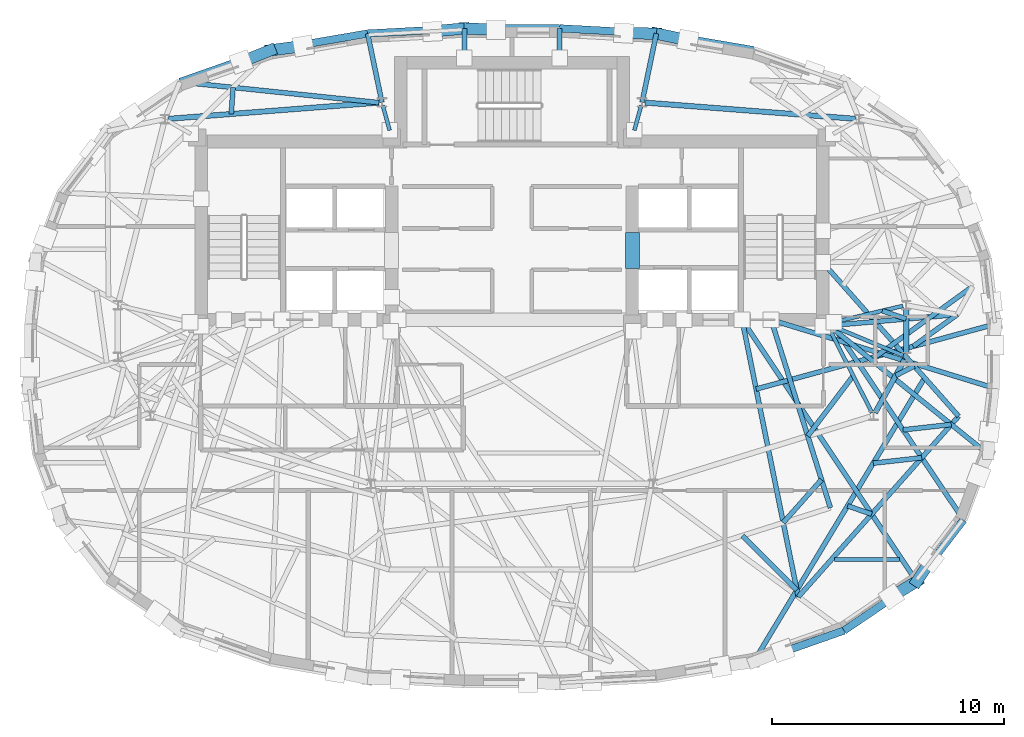
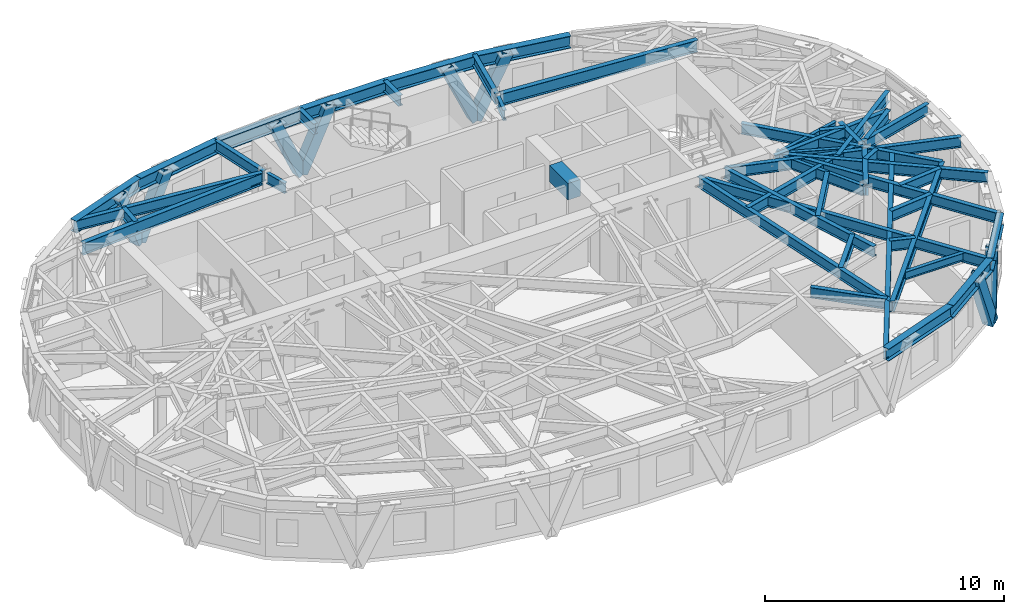
# One storey, part 3 of 12: 47 beams, 8 members.
"""IFC4 building model written with IfcOpenShell, lengths in metres."""

from ifc_helpers import new_model, si_unit, direction, frame, origin, origin_2d, place, context, subcontext, project, spatial, rectangle, hollow_rectangle, i_section, extrude, material, material_profile, profile_set, type_object, element, save


model = new_model("IFC4")

# Units and contexts
model_context = context("Model", 3, precision=1e-05, world=origin(), true_north=direction((0.0, 1.0)))
body_context = subcontext(model_context, "Body", "Model", "MODEL_VIEW")
ifc_project = project(units=[si_unit("LENGTHUNIT", "METRE"), si_unit("AREAUNIT", "SQUARE_METRE"), si_unit("VOLUMEUNIT", "CUBIC_METRE"), si_unit("PLANEANGLEUNIT", "RADIAN"), si_unit("MASSUNIT", "GRAM", prefix="KILO")], contexts=[model_context])

# Site, building, storey
site_placement = place(None, origin())
site = spatial("IfcSite", under=ifc_project, at=site_placement, CompositionType="ELEMENT")
building_placement = place(site_placement, origin())
building = spatial("IfcBuilding", under=site, at=building_placement, Name="Keldmark Tower", CompositionType="ELEMENT")
storey_placement = place(building_placement, frame((0.0, 0.0, 254.10009765625)))
storey = spatial("IfcBuildingStorey", under=building, at=storey_placement, Name="L72", CompositionType="ELEMENT", Elevation=254.10009765625)

# Beams
ifc_material_1 = material(Name="Steel ASTM A992 Grade 50", Category="steel")
ifc_material_profile_1 = material_profile(ifc_material_1, i_section(OverallWidth=0.177978515625, OverallDepth=0.403076171875, WebThickness=0.007568359375, FlangeThickness=0.010986328125, at=origin_2d()), Name="W16X36")
ifc_profile_set_1 = profile_set([ifc_material_profile_1], Name="Steel ASTM A992 Grade 50")
beam_type_1 = type_object("IfcBeamType", Name="Composite Floor Joist W16X36", PredefinedType="JOIST", material=ifc_profile_set_1)
beam_1_placement = place(storey_placement, frame((13.928466796875, -8.780029296875, 2.768310546875), z_axis=(1.0, 0.0, 0.0), x_axis=(0.0, 1.0, 0.0)))
element("IfcBeam", 1, at=beam_1_placement, inside=storey, type_object=beam_type_1, Name="L72 Composite Floor Joist J02", PredefinedType="JOIST", context=body_context, shape_type="SweptSolid", body=[
    extrude(i_section(OverallWidth=0.177978515625, OverallDepth=0.403076171875, WebThickness=0.007568359375, FlangeThickness=0.010986328125, at=origin_2d()), origin(), (0.0, 0.0, 1.0), 2.80126953125),
])
ifc_material_2 = material(Name="Concrete C50/60", Category="concrete")
ifc_material_profile_2 = material_profile(ifc_material_2, rectangle(XDim=0.60009765625, YDim=0.85009765625, at=origin_2d()), Name="RCB600X850")
ifc_profile_set_2 = profile_set([ifc_material_profile_2], Name="Concrete C50/60")
beam_type_2 = type_object("IfcBeamType", Name="Core Coupling Beam RCB600X850", PredefinedType="USERDEFINED", material=ifc_profile_set_2)
beam_2_placement = place(storey_placement, frame((5.199951171875, 3.800048828125, 2.544921875), z_axis=(0.0, 1.0, 0.0), x_axis=(-1.0, 0.0, 0.0)))
element("IfcBeam", 2, at=beam_2_placement, inside=storey, type_object=beam_type_2, Name="L72 East Core Coupling Beam", ObjectType="COUPLING BEAM", PredefinedType="USERDEFINED", context=body_context, shape_type="SweptSolid", body=[
    extrude(rectangle(XDim=0.60009765625, YDim=0.85009765625, at=origin_2d()), origin(), (0.0, 0.0, 1.0), 1.550048828125),
])

# Members
ifc_material_3 = material(Name="Steel ASTM A572 Grade 50", Category="steel")
ifc_material_profile_3 = material_profile(ifc_material_3, hollow_rectangle(XDim=0.5, YDim=0.5, WallThickness=0.030029296875, at=origin_2d()), Name="BOX500X500X30")
ifc_profile_set_3 = profile_set([ifc_material_profile_3], Name="Steel ASTM A572 Grade 50")
member_type = type_object("IfcMemberType", Name="Diagrid Upper Brace BOX500X500X30", PredefinedType="BRACE", material=ifc_profile_set_3)
member_1_placement = place(storey_placement, frame((6.23193359375, 13.93896484375, -0.260009765625), z_axis=(0.402304066373, -0.085369752967, 0.911517110897), x_axis=(0.207579892379, 0.978218067856, 0.0)))
element("IfcMember", 3, at=member_1_placement, inside=storey, type_object=member_type, Name="L72 Perimeter Diagrid Brace 03B", PredefinedType="BRACE", context=body_context, shape_type="SweptSolid", body=[
    extrude(hollow_rectangle(XDim=0.5, YDim=0.5, WallThickness=0.030029296875, at=origin_2d()), origin(), (0.0, 0.0, 1.0), 3.411865234375),
])
member_2_placement = place(storey_placement, frame((6.242919921875, 13.9345703125, -0.260009765625), z_axis=(-0.414504381907, 0.006572630668, 0.910023580961), x_axis=(-0.015854608121, -0.999874307801, 0.0)))
element("IfcMember", 4, at=member_2_placement, inside=storey, type_object=member_type, Name="L72 Perimeter Diagrid Brace 04A", PredefinedType="BRACE", context=body_context, shape_type="SweptSolid", body=[
    extrude(hollow_rectangle(XDim=0.5, YDim=0.5, WallThickness=0.030029296875, at=origin_2d()), origin(), (0.0, 0.0, 1.0), 3.417236328125),
])
member_3_placement = place(storey_placement, frame((-2.0712890625, 14.1591796875, -0.260009765625), z_axis=(0.405407288918, -0.016001031049, 0.913996114378), x_axis=(0.039438319915, 0.999222006824, 0.0)))
element("IfcMember", 5, at=member_3_placement, inside=storey, type_object=member_type, Name="L72 Perimeter Diagrid Brace 04B", PredefinedType="BRACE", context=body_context, shape_type="SweptSolid", body=[
    extrude(hollow_rectangle(XDim=0.5, YDim=0.5, WallThickness=0.030029296875, at=origin_2d()), origin(), (0.0, 0.0, 1.0), 3.402587890625),
])
member_4_placement = place(storey_placement, frame((-2.0595703125, 14.1591796875, -0.260009765625), z_axis=(-0.406603272819, -0.037980214063, 0.912815031577), x_axis=(0.093003675651, -0.995665765363, 0.0)))
element("IfcMember", 6, at=member_4_placement, inside=storey, type_object=member_type, Name="L72 Perimeter Diagrid Brace 05A", PredefinedType="BRACE", context=body_context, shape_type="SweptSolid", body=[
    extrude(hollow_rectangle(XDim=0.5, YDim=0.5, WallThickness=0.030029296875, at=origin_2d()), origin(), (0.0, 0.0, 1.0), 3.406982421875),
])
member_5_placement = place(storey_placement, frame((-10.445068359375, 13.213623046875, -0.260009765625), z_axis=(0.417994718751, 0.055595006019, 0.906746717889), x_axis=(-0.131843041976, 0.991270604972, 0.0)))
element("IfcMember", 7, at=member_5_placement, inside=storey, type_object=member_type, Name="L72 Perimeter Diagrid Brace 05B", PredefinedType="BRACE", context=body_context, shape_type="SweptSolid", body=[
    extrude(hollow_rectangle(XDim=0.5, YDim=0.5, WallThickness=0.030029296875, at=origin_2d()), origin(), (0.0, 0.0, 1.0), 3.4296875),
])
member_6_placement = place(storey_placement, frame((-10.43408203125, 13.218017578125, -0.260009765625), z_axis=(-0.373354455689, -0.149083007528, 0.915631316242), x_axis=(0.370835706731, -0.928698486385, 0.0)))
element("IfcMember", 8, at=member_6_placement, inside=storey, type_object=member_type, Name="L72 Perimeter Diagrid Brace 06A", PredefinedType="BRACE", context=body_context, shape_type="SweptSolid", body=[
    extrude(hollow_rectangle(XDim=0.5, YDim=0.5, WallThickness=0.030029296875, at=origin_2d()), origin(), (0.0, 0.0, 1.0), 3.396484375),
])
member_7_placement = place(storey_placement, frame((17.4990234375, -9.711669921875, -0.260009765625), z_axis=(-0.328433608383, -0.199944467239, 0.923121646862), x_axis=(0.520000758543, -0.854165798375, 0.0)))
element("IfcMember", 9, at=member_7_placement, inside=storey, type_object=member_type, Name="L72 Perimeter Diagrid Brace 14B", PredefinedType="BRACE", context=body_context, shape_type="SweptSolid", body=[
    extrude(hollow_rectangle(XDim=0.5, YDim=0.5, WallThickness=0.030029296875, at=origin_2d()), origin(), (0.0, 0.0, 1.0), 3.368896484375),
])
member_8_placement = place(storey_placement, frame((17.49072265625, -9.719970703125, -0.260009765625), z_axis=(0.186097563926, 0.278702552016, 0.942174391607), x_axis=(-0.831642601649, 0.555311248871, 0.0)))
element("IfcMember", 10, at=member_8_placement, inside=storey, type_object=member_type, Name="L72 Perimeter Diagrid Brace 15A", PredefinedType="BRACE", context=body_context, shape_type="SweptSolid", body=[
    extrude(hollow_rectangle(XDim=0.5, YDim=0.5, WallThickness=0.030029296875, at=origin_2d()), origin(), (0.0, 0.0, 1.0), 3.30078125),
])

# Beams
ifc_material_4 = material(Name="Steel ASTM A992 Grade 50", Category="steel")
ifc_material_profile_4 = material_profile(ifc_material_4, i_section(OverallWidth=0.22802734375, OverallDepth=0.60302734375, WebThickness=0.010498046875, FlangeThickness=0.014892578125, at=origin_2d()), Name="W24X68")
ifc_profile_set_4 = profile_set([ifc_material_profile_4], Name="Steel ASTM A992 Grade 50")
beam_type_3 = type_object("IfcBeamType", Name="Primary Floor Girder W24X68", PredefinedType="BEAM", material=ifc_profile_set_4)
for number, where, z_axis, x_axis, name in (
    (11, (14.856201171875, 10.25439453125, 2.66845703125), (-0.997037147832, 0.076921556421, 0.0), (-0.076921556421, -0.997037147832, 0.0), "L72 Floor Ring Girder FG-R02"),
    (12, (-5.75830078125, 10.956298828125, 2.66845703125), (-0.997037147832, -0.076921556421, 0.0), (0.076921556421, -0.997037147832, 0.0), "L72 Floor Ring Girder FG-R04"),
):
    element("IfcBeam", number, at=place(storey_placement, frame(where, z_axis=z_axis, x_axis=x_axis)), inside=storey, type_object=beam_type_3, Name=name, PredefinedType="BEAM", context=body_context, shape_type="SweptSolid", body=[
        extrude(i_section(OverallWidth=0.22802734375, OverallDepth=0.60302734375, WebThickness=0.010498046875, FlangeThickness=0.014892578125, at=origin_2d()), origin(), (0.0, 0.0, 1.0), 9.125),
    ])
beam_3_placement = place(storey_placement, frame((15.68408203125, -2.44482421875, 2.66845703125), z_axis=(0.484719680408, 0.874669555561, 0.0), x_axis=(-0.874669555561, 0.484719680408, 0.0)))
element("IfcBeam", 13, at=beam_3_placement, inside=storey, type_object=beam_type_3, Name="L72 Floor Ring Girder FG-R11", PredefinedType="BEAM", context=body_context, shape_type="SweptSolid", body=[
    extrude(i_section(OverallWidth=0.22802734375, OverallDepth=0.60302734375, WebThickness=0.010498046875, FlangeThickness=0.014892578125, at=origin_2d()), origin(), (0.0, 0.0, 1.0), 2.627685546875),
])
beam_4_placement = place(storey_placement, frame((17.025634765625, 0.115966796875, 2.66845703125), z_axis=(0.0, 1.0, 0.0), x_axis=(-1.0, 0.0, 0.0)))
element("IfcBeam", 14, at=beam_4_placement, inside=storey, type_object=beam_type_3, Name="L72 Floor Ring Girder FG-R12", PredefinedType="BEAM", context=body_context, shape_type="SweptSolid", body=[
    extrude(i_section(OverallWidth=0.22802734375, OverallDepth=0.60302734375, WebThickness=0.010498046875, FlangeThickness=0.014892578125, at=origin_2d()), origin(), (0.0, 0.0, 1.0), 1.9521484375),
])
ifc_material_5 = material(Name="Steel ASTM A992 Grade 50", Category="steel")
ifc_material_profile_5 = material_profile(ifc_material_5, i_section(OverallWidth=0.166015625, OverallDepth=0.529052734375, WebThickness=0.009765625, FlangeThickness=0.013671875, at=origin_2d()), Name="W21X50")
ifc_profile_set_5 = profile_set([ifc_material_profile_5], Name="Steel ASTM A992 Grade 50")
beam_type_4 = type_object("IfcBeamType", Name="Radial Tie Girder W21X50", PredefinedType="BEAM", material=ifc_profile_set_5)
beam_5_placement = place(storey_placement, frame((16.889404296875, 2.17578125, 2.705322265625), z_axis=(-0.97329039005, -0.229577474147, 0.0), x_axis=(0.229577474147, -0.97329039005, 0.0)))
element("IfcBeam", 15, at=beam_5_placement, inside=storey, type_object=beam_type_4, Name="L72 Floor Radial Girder FG-C01", PredefinedType="BEAM", context=body_context, shape_type="SweptSolid", body=[
    extrude(i_section(OverallWidth=0.166015625, OverallDepth=0.529052734375, WebThickness=0.009765625, FlangeThickness=0.013671875, at=origin_2d()), origin(), (0.0, 0.0, 1.0), 3.0595703125),
])
for number, where, z_axis, x_axis, name in (
    (16, (5.581298828125, 10.83203125, 2.705322265625), (-0.265936023434, -0.963990680163, 0.0), (0.963990680163, -0.265936023434, 0.0), "L72 Floor Radial Girder FG-C03"),
    (17, (-5.581298828125, 10.83203125, 2.705322265625), (0.265936023434, -0.963990680163, 0.0), (0.963990680163, 0.265936023434, 0.0), "L72 Floor Radial Girder FG-C04"),
):
    element("IfcBeam", number, at=place(storey_placement, frame(where, z_axis=z_axis, x_axis=x_axis)), inside=storey, type_object=beam_type_4, Name=name, PredefinedType="BEAM", context=body_context, shape_type="SweptSolid", body=[
        extrude(i_section(OverallWidth=0.166015625, OverallDepth=0.529052734375, WebThickness=0.009765625, FlangeThickness=0.013671875, at=origin_2d()), origin(), (0.0, 0.0, 1.0), 1.113525390625),
    ])
beam_6_placement = place(storey_placement, frame((15.552734375, -2.442626953125, 2.705322265625), z_axis=(-0.453004410574, 0.89150827478, 0.0), x_axis=(-0.89150827478, -0.453004410574, 0.0)))
element("IfcBeam", 18, at=beam_6_placement, inside=storey, type_object=beam_type_4, Name="L72 Floor Radial Girder FG-C11", PredefinedType="BEAM", context=body_context, shape_type="SweptSolid", body=[
    extrude(i_section(OverallWidth=0.166015625, OverallDepth=0.529052734375, WebThickness=0.009765625, FlangeThickness=0.013671875, at=origin_2d()), origin(), (0.0, 0.0, 1.0), 3.990234375),
])
beam_7_placement = place(storey_placement, frame((16.896240234375, 0.02978515625, 2.705322265625), z_axis=(-0.923403331902, 0.383831065226, 0.0), x_axis=(-0.383831065226, -0.923403331902, 0.0)))
element("IfcBeam", 19, at=beam_7_placement, inside=storey, type_object=beam_type_4, Name="L72 Floor Radial Girder FG-C12", PredefinedType="BEAM", context=body_context, shape_type="SweptSolid", body=[
    extrude(i_section(OverallWidth=0.166015625, OverallDepth=0.529052734375, WebThickness=0.009765625, FlangeThickness=0.013671875, at=origin_2d()), origin(), (0.0, 0.0, 1.0), 3.249755859375),
])
ifc_material_6 = material(Name="Steel ASTM A992 Grade 50", Category="steel")
ifc_material_profile_6 = material_profile(ifc_material_6, i_section(OverallWidth=0.2099609375, OverallDepth=0.537109375, WebThickness=0.010986328125, FlangeThickness=0.017333984375, at=origin_2d()), Name="W21X68")
ifc_profile_set_6 = profile_set([ifc_material_profile_6], Name="Steel ASTM A992 Grade 50")
beam_type_5 = type_object("IfcBeamType", Name="Radial Tie Girder W21X68", PredefinedType="BEAM", material=ifc_profile_set_6)
for number, where, z_axis, x_axis, name in (
    (20, (2.0576171875, 12.8798828125, 2.701416015625), (0.0, 1.0, 0.0), (-1.0, 0.0, 0.0), "L72 North Core Wall Bracket RT-08N"),
    (21, (-2.0576171875, 12.8798828125, 2.701416015625), (0.0, 1.0, 0.0), (-1.0, 0.0, 0.0), "L72 North Core Wall Bracket RT-09N"),
):
    element("IfcBeam", number, at=place(storey_placement, frame(where, z_axis=z_axis, x_axis=x_axis)), inside=storey, type_object=beam_type_5, Name=name, PredefinedType="BEAM", context=body_context, shape_type="SweptSolid", body=[
        extrude(i_section(OverallWidth=0.2099609375, OverallDepth=0.537109375, WebThickness=0.010986328125, FlangeThickness=0.017333984375, at=origin_2d()), origin(), (0.0, 0.0, 1.0), 1.284423828125),
    ])
beam_8_placement = place(storey_placement, frame((14.7392578125, -0.841796875, 2.701416015625), z_axis=(-0.602082007756, -0.798434252732, 0.0), x_axis=(0.798434252732, -0.602082007756, 0.0)))
element("IfcBeam", 22, at=beam_8_placement, inside=storey, type_object=beam_type_5, Name="L72 Framing Pin Header PH-004", PredefinedType="BEAM", context=body_context, shape_type="SweptSolid", body=[
    extrude(i_section(OverallWidth=0.2099609375, OverallDepth=0.537109375, WebThickness=0.010986328125, FlangeThickness=0.017333984375, at=origin_2d()), origin(), (0.0, 0.0, 1.0), 3.261474609375),
])
beam_9_placement = place(storey_placement, frame((11.19287109375, 1.574951171875, 2.701416015625), z_axis=(0.300649645241, -0.953734654302, 0.0), x_axis=(0.953734654302, 0.300649645241, 0.0)))
element("IfcBeam", 23, at=beam_9_placement, inside=storey, type_object=beam_type_5, Name="L72 Sub-Ring Step Girder STP1-M11", PredefinedType="BEAM", context=body_context, shape_type="SweptSolid", body=[
    extrude(i_section(OverallWidth=0.2099609375, OverallDepth=0.537109375, WebThickness=0.010986328125, FlangeThickness=0.017333984375, at=origin_2d()), origin(), (0.0, 0.0, 1.0), 8.51416015625),
])
beam_10_placement = place(storey_placement, frame((13.368896484375, -5.327392578125, 2.701416015625), z_axis=(-0.663626990829, -0.748063645049, 0.0), x_axis=(0.748063645049, -0.663626990829, 0.0)))
element("IfcBeam", 24, at=beam_10_placement, inside=storey, type_object=beam_type_5, Name="L72 Framing Pin Header PH-007", PredefinedType="BEAM", context=body_context, shape_type="SweptSolid", body=[
    extrude(i_section(OverallWidth=0.2099609375, OverallDepth=0.537109375, WebThickness=0.010986328125, FlangeThickness=0.017333984375, at=origin_2d()), origin(), (0.0, 0.0, 1.0), 2.489501953125),
])
beam_11_placement = place(storey_placement, frame((9.939208984375, 1.574951171875, 2.701416015625), z_axis=(0.198764412142, -0.980047299096, 0.0), x_axis=(0.980047299096, 0.198764412142, 0.0)))
element("IfcBeam", 25, at=beam_11_placement, inside=storey, type_object=beam_type_5, Name="L72 Sub-Ring Step Girder STP2-M11", PredefinedType="BEAM", context=body_context, shape_type="SweptSolid", body=[
    extrude(i_section(OverallWidth=0.2099609375, OverallDepth=0.537109375, WebThickness=0.010986328125, FlangeThickness=0.017333984375, at=origin_2d()), origin(), (0.0, 0.0, 1.0), 12.211669921875),
])
beam_12_placement = place(storey_placement, frame((16.57568359375, -0.8359375, 2.701416015625), z_axis=(0.889221696366, 0.457476529138, 0.0), x_axis=(-0.457476529138, 0.889221696366, 0.0)))
element("IfcBeam", 26, at=beam_12_placement, inside=storey, type_object=beam_type_5, Name="L72 Framing Pin Header PH-008", PredefinedType="BEAM", context=body_context, shape_type="SweptSolid", body=[
    extrude(i_section(OverallWidth=0.2099609375, OverallDepth=0.537109375, WebThickness=0.010986328125, FlangeThickness=0.017333984375, at=origin_2d()), origin(), (0.0, 0.0, 1.0), 0.9013671875),
])
beam_13_placement = place(storey_placement, frame((13.425048828125, 4.050048828125, 2.701416015625), z_axis=(0.662074390155, -0.749438124131, 0.0), x_axis=(0.749438124131, 0.662074390155, 0.0)))
element("IfcBeam", 27, at=beam_13_placement, inside=storey, type_object=beam_type_5, Name="L72 Sub-Ring Step Girder STP2-M12", PredefinedType="BEAM", context=body_context, shape_type="SweptSolid", body=[
    extrude(i_section(OverallWidth=0.2099609375, OverallDepth=0.537109375, WebThickness=0.010986328125, FlangeThickness=0.017333984375, at=origin_2d()), origin(), (0.0, 0.0, 1.0), 8.861572265625),
])
beam_14_placement = place(storey_placement, frame((12.366455078125, -10.39306640625, 2.701416015625), z_axis=(0.663850931658, 0.747864921317, 0.0), x_axis=(-0.747864921317, 0.663850931658, 0.0)))
element("IfcBeam", 28, at=beam_14_placement, inside=storey, type_object=beam_type_5, Name="L72 Perimeter Collector Ring Beam CRG2-M11", PredefinedType="BEAM", context=body_context, shape_type="SweptSolid", body=[
    extrude(i_section(OverallWidth=0.2099609375, OverallDepth=0.537109375, WebThickness=0.010986328125, FlangeThickness=0.017333984375, at=origin_2d()), origin(), (0.0, 0.0, 1.0), 10.432373046875),
])
beam_15_placement = place(storey_placement, frame((15.99609375, 1.965087890625, 2.701416015625), z_axis=(0.945589618197, -0.325361758597, 0.0), x_axis=(0.325361758597, 0.945589618197, 0.0)))
element("IfcBeam", 29, at=beam_15_placement, inside=storey, type_object=beam_type_5, Name="L72 Framing Pin Header PH-009", PredefinedType="BEAM", context=body_context, shape_type="SweptSolid", body=[
    extrude(i_section(OverallWidth=0.2099609375, OverallDepth=0.537109375, WebThickness=0.010986328125, FlangeThickness=0.017333984375, at=origin_2d()), origin(), (0.0, 0.0, 1.0), 1.0888671875),
])
beam_16_placement = place(storey_placement, frame((13.425048828125, 1.300048828125, 2.701416015625), z_axis=(0.996294444788, 0.086008018728, 0.0), x_axis=(-0.086008018728, 0.996294444788, 0.0)))
element("IfcBeam", 30, at=beam_16_placement, inside=storey, type_object=beam_type_5, Name="L72 Intermediate Radial Step Girder RT-01M", PredefinedType="BEAM", context=body_context, shape_type="SweptSolid", body=[
    extrude(i_section(OverallWidth=0.2099609375, OverallDepth=0.537109375, WebThickness=0.010986328125, FlangeThickness=0.017333984375, at=origin_2d()), origin(), (0.0, 0.0, 1.0), 5.830322265625),
])
beam_17_placement = place(storey_placement, frame((19.23388671875, 1.801513671875, 2.701416015625), z_axis=(-0.811037752151, -0.584993815852, 0.0), x_axis=(0.584993815852, -0.811037752151, 0.0)))
element("IfcBeam", 31, at=beam_17_placement, inside=storey, type_object=beam_type_5, Name="L72 Framing Pin Header PH-010", PredefinedType="BEAM", context=body_context, shape_type="SweptSolid", body=[
    extrude(i_section(OverallWidth=0.2099609375, OverallDepth=0.537109375, WebThickness=0.010986328125, FlangeThickness=0.017333984375, at=origin_2d()), origin(), (0.0, 0.0, 1.0), 2.351318359375),
])
beam_18_placement = place(storey_placement, frame((10.546142578125, -1.4169921875, 2.701416015625), z_axis=(0.964991001061, 0.262282991958, 0.0), x_axis=(-0.262282991958, 0.964991001061, 0.0)))
element("IfcBeam", 32, at=beam_18_placement, inside=storey, type_object=beam_type_5, Name="L72 Perimeter Radial Tie Girder RT-01", PredefinedType="BEAM", context=body_context, shape_type="SweptSolid", body=[
    extrude(i_section(OverallWidth=0.2099609375, OverallDepth=0.537109375, WebThickness=0.010986328125, FlangeThickness=0.017333984375, at=origin_2d()), origin(), (0.0, 0.0, 1.0), 10.72119140625),
])
beam_19_placement = place(storey_placement, frame((15.718994140625, -0.010986328125, 2.701416015625), z_axis=(0.809894832298, 0.586575110806, 0.0), x_axis=(-0.586575110806, 0.809894832298, 0.0)))
element("IfcBeam", 33, at=beam_19_placement, inside=storey, type_object=beam_type_5, Name="L72 Intermediate Radial Step Girder RT-02M", PredefinedType="BEAM", context=body_context, shape_type="SweptSolid", body=[
    extrude(i_section(OverallWidth=0.2099609375, OverallDepth=0.537109375, WebThickness=0.010986328125, FlangeThickness=0.017333984375, at=origin_2d()), origin(), (0.0, 0.0, 1.0), 5.158935546875),
])
for number, where, z_axis, x_axis, name in (
    (34, (5.61865234375, 10.967041015625, 2.701416015625), (0.203594609148, 0.979055276849, 0.0), (-0.979055276849, 0.203594609148, 0.0), "L72 Perimeter Column Bracket RT-07"),
    (35, (-5.61865234375, 10.967041015625, 2.701416015625), (-0.203594609148, 0.979055276849, 0.0), (-0.979055276849, -0.203594609148, 0.0), "L72 Perimeter Column Bracket RT-10"),
):
    element("IfcBeam", number, at=place(storey_placement, frame(where, z_axis=z_axis, x_axis=x_axis)), inside=storey, type_object=beam_type_5, Name=name, PredefinedType="BEAM", context=body_context, shape_type="SweptSolid", body=[
        extrude(i_section(OverallWidth=0.2099609375, OverallDepth=0.537109375, WebThickness=0.010986328125, FlangeThickness=0.017333984375, at=origin_2d()), origin(), (0.0, 0.0, 1.0), 3.0361328125),
    ])
beam_20_placement = place(storey_placement, frame((9.95361328125, -7.748046875, 2.701416015625), z_axis=(0.707657301358, -0.706555832071, 0.0), x_axis=(0.706555832071, 0.707657301358, 0.0)))
element("IfcBeam", 36, at=beam_20_placement, inside=storey, type_object=beam_type_5, Name="L72 Framing Pin Header PH-027", PredefinedType="BEAM", context=body_context, shape_type="SweptSolid", body=[
    extrude(i_section(OverallWidth=0.2099609375, OverallDepth=0.537109375, WebThickness=0.010986328125, FlangeThickness=0.017333984375, at=origin_2d()), origin(), (0.0, 0.0, 1.0), 3.32470703125),
])
beam_21_placement = place(storey_placement, frame((17.8251953125, -0.930908203125, 2.701416015625), z_axis=(-0.515786379718, -0.856717229019, 0.0), x_axis=(0.856717229019, -0.515786379718, 0.0)))
element("IfcBeam", 37, at=beam_21_placement, inside=storey, type_object=beam_type_5, Name="L72 Perimeter Radial Tie Girder RT-27", PredefinedType="BEAM", context=body_context, shape_type="SweptSolid", body=[
    extrude(i_section(OverallWidth=0.2099609375, OverallDepth=0.537109375, WebThickness=0.010986328125, FlangeThickness=0.017333984375, at=origin_2d()), origin(), (0.0, 0.0, 1.0), 14.347900390625),
])
beam_22_placement = place(storey_placement, frame((14.4951171875, -6.462158203125, 2.701416015625), z_axis=(0.946039037798, -0.324052679302, 0.0), x_axis=(0.324052679302, 0.946039037798, 0.0)))
element("IfcBeam", 38, at=beam_22_placement, inside=storey, type_object=beam_type_5, Name="L72 Framing Pin Header PH-028", PredefinedType="BEAM", context=body_context, shape_type="SweptSolid", body=[
    extrude(i_section(OverallWidth=0.2099609375, OverallDepth=0.537109375, WebThickness=0.010986328125, FlangeThickness=0.017333984375, at=origin_2d()), origin(), (0.0, 0.0, 1.0), 1.10302734375),
])
beam_23_placement = place(storey_placement, frame((9.939208984375, 1.574951171875, 2.701416015625), z_axis=(0.5548993049, -0.831917520804, 0.0), x_axis=(0.831917520804, 0.5548993049, 0.0)))
element("IfcBeam", 39, at=beam_23_placement, inside=storey, type_object=beam_type_5, Name="L72 Perimeter Radial Tie Girder RT-29", PredefinedType="BEAM", context=body_context, shape_type="SweptSolid", body=[
    extrude(i_section(OverallWidth=0.2099609375, OverallDepth=0.537109375, WebThickness=0.010986328125, FlangeThickness=0.017333984375, at=origin_2d()), origin(), (0.0, 0.0, 1.0), 13.5810546875),
])
beam_24_placement = place(storey_placement, frame((15.60498046875, -4.618408203125, 2.701416015625), z_axis=(0.993793053369, 0.111244627174, 0.0), x_axis=(-0.111244627174, 0.993793053369, 0.0)))
element("IfcBeam", 40, at=beam_24_placement, inside=storey, type_object=beam_type_5, Name="L72 Framing Pin Header PH-029", PredefinedType="BEAM", context=body_context, shape_type="SweptSolid", body=[
    extrude(i_section(OverallWidth=0.2099609375, OverallDepth=0.537109375, WebThickness=0.010986328125, FlangeThickness=0.017333984375, at=origin_2d()), origin(), (0.0, 0.0, 1.0), 2.109130859375),
])
beam_25_placement = place(storey_placement, frame((13.699951171875, 1.574951171875, 2.701416015625), z_axis=(0.557457280221, -0.830205625571, 0.0), x_axis=(0.830205625571, 0.557457280221, 0.0)))
element("IfcBeam", 41, at=beam_25_placement, inside=storey, type_object=beam_type_5, Name="L72 Perimeter Radial Tie Girder RT-30", PredefinedType="BEAM", context=body_context, shape_type="SweptSolid", body=[
    extrude(i_section(OverallWidth=0.2099609375, OverallDepth=0.537109375, WebThickness=0.010986328125, FlangeThickness=0.017333984375, at=origin_2d()), origin(), (0.0, 0.0, 1.0), 10.41015625),
])
beam_26_placement = place(storey_placement, frame((16.8916015625, -3.178466796875, 2.701416015625), z_axis=(0.993905010631, 0.1102398741, 0.0), x_axis=(-0.1102398741, 0.993905010631, 0.0)))
element("IfcBeam", 42, at=beam_26_placement, inside=storey, type_object=beam_type_5, Name="L72 Framing Pin Header PH-030", PredefinedType="BEAM", context=body_context, shape_type="SweptSolid", body=[
    extrude(i_section(OverallWidth=0.2099609375, OverallDepth=0.537109375, WebThickness=0.010986328125, FlangeThickness=0.017333984375, at=origin_2d()), origin(), (0.0, 0.0, 1.0), 2.09716796875),
])
beam_27_placement = place(storey_placement, frame((13.60009765625, 1.39990234375, 2.701416015625), z_axis=(0.777574414274, -0.62879092731, 0.0), x_axis=(0.62879092731, 0.777574414274, 0.0)))
element("IfcBeam", 43, at=beam_27_placement, inside=storey, type_object=beam_type_5, Name="L72 Perimeter Radial Tie Girder RT-31", PredefinedType="BEAM", context=body_context, shape_type="SweptSolid", body=[
    extrude(i_section(OverallWidth=0.2099609375, OverallDepth=0.537109375, WebThickness=0.010986328125, FlangeThickness=0.017333984375, at=origin_2d()), origin(), (0.0, 0.0, 1.0), 8.951171875),
])
beam_28_placement = place(storey_placement, frame((11.19287109375, 1.574951171875, 2.701416015625), z_axis=(0.956177268503, -0.292788372718, 0.0), x_axis=(0.292788372718, 0.956177268503, 0.0)))
element("IfcBeam", 44, at=beam_28_placement, inside=storey, type_object=beam_type_5, Name="L72 Perimeter Radial Tie Girder RT-32", PredefinedType="BEAM", context=body_context, shape_type="SweptSolid", body=[
    extrude(i_section(OverallWidth=0.2099609375, OverallDepth=0.537109375, WebThickness=0.010986328125, FlangeThickness=0.017333984375, at=origin_2d()), origin(), (0.0, 0.0, 1.0), 10.143798828125),
])
beam_29_placement = place(storey_placement, frame((-5.75830078125, 10.956298828125, 2.701416015625), z_axis=(-0.994648370751, 0.103318045679, 0.0), x_axis=(-0.103318045679, -0.994648370751, 0.0)))
element("IfcBeam", 45, at=beam_29_placement, inside=storey, type_object=beam_type_5, Name="L72 Straddling Support Chord RT-11RB", PredefinedType="BEAM", context=body_context, shape_type="SweptSolid", body=[
    extrude(i_section(OverallWidth=0.2099609375, OverallDepth=0.537109375, WebThickness=0.010986328125, FlangeThickness=0.017333984375, at=origin_2d()), origin(), (0.0, 0.0, 1.0), 8.629638671875),
])
beam_30_placement = place(storey_placement, frame((-12.126708984375, 10.465087890625, 2.701416015625), z_axis=(0.066589612027, 0.997780448581, 0.0), x_axis=(-0.997780448581, 0.066589612027, 0.0)))
element("IfcBeam", 46, at=beam_30_placement, inside=storey, type_object=beam_type_5, Name="L72 Framing Pin Header PH-032", PredefinedType="BEAM", context=body_context, shape_type="SweptSolid", body=[
    extrude(i_section(OverallWidth=0.2099609375, OverallDepth=0.537109375, WebThickness=0.010986328125, FlangeThickness=0.017333984375, at=origin_2d()), origin(), (0.0, 0.0, 1.0), 1.1474609375),
])
ifc_material_7 = material(Name="Steel ASTM A992 Grade 50", Category="steel")
ifc_material_profile_7 = material_profile(ifc_material_7, i_section(OverallWidth=0.326904296875, OverallDepth=0.6220703125, WebThickness=0.015380859375, FlangeThickness=0.0244140625, at=origin_2d()), Name="W24X131")
ifc_profile_set_7 = profile_set([ifc_material_profile_7], Name="Steel ASTM A992 Grade 50")
beam_type_6 = type_object("IfcBeamType", Name="Spandrel Ring Beam W24X131", PredefinedType="SPANDREL", material=ifc_profile_set_7)
beam_31_placement = place(storey_placement, frame((10.4248046875, 13.222900390625, 2.658935546875), z_axis=(-0.985667057966, 0.168702254995, 0.0), x_axis=(-0.168702254995, -0.985667057966, 0.0)))
element("IfcBeam", 47, at=beam_31_placement, inside=storey, type_object=beam_type_6, Name="L72 Perimeter Spandrel Ring Beam SRB-06", PredefinedType="SPANDREL", context=body_context, shape_type="SweptSolid", body=[
    extrude(i_section(OverallWidth=0.326904296875, OverallDepth=0.6220703125, WebThickness=0.015380859375, FlangeThickness=0.0244140625, at=origin_2d()), origin(), (0.0, 0.0, 1.0), 4.248779296875),
])
beam_32_placement = place(storey_placement, frame((6.23681640625, 13.939697265625, 2.658935546875), z_axis=(-0.998558880418, 0.053667143941, 0.0), x_axis=(-0.053667143941, -0.998558880418, 0.0)))
element("IfcBeam", 48, at=beam_32_placement, inside=storey, type_object=beam_type_6, Name="L72 Perimeter Spandrel Ring Beam SRB-07", PredefinedType="SPANDREL", context=body_context, shape_type="SweptSolid", body=[
    extrude(i_section(OverallWidth=0.326904296875, OverallDepth=0.6220703125, WebThickness=0.015380859375, FlangeThickness=0.0244140625, at=origin_2d()), origin(), (0.0, 0.0, 1.0), 4.185302734375),
])
beam_33_placement = place(storey_placement, frame((2.0576171875, 14.164306640625, 2.658935546875), z_axis=(-1.0, 0.0, 0.0), x_axis=(0.0, -1.0, 0.0)))
element("IfcBeam", 49, at=beam_33_placement, inside=storey, type_object=beam_type_6, Name="L72 Perimeter Spandrel Ring Beam SRB-08", PredefinedType="SPANDREL", context=body_context, shape_type="SweptSolid", body=[
    extrude(i_section(OverallWidth=0.326904296875, OverallDepth=0.6220703125, WebThickness=0.015380859375, FlangeThickness=0.0244140625, at=origin_2d()), origin(), (0.0, 0.0, 1.0), 4.115234375),
])
beam_34_placement = place(storey_placement, frame((-2.0576171875, 14.164306640625, 2.658935546875), z_axis=(-0.998558880418, -0.053667143941, 0.0), x_axis=(0.053667143941, -0.998558880418, 0.0)))
element("IfcBeam", 50, at=beam_34_placement, inside=storey, type_object=beam_type_6, Name="L72 Perimeter Spandrel Ring Beam SRB-09", PredefinedType="SPANDREL", context=body_context, shape_type="SweptSolid", body=[
    extrude(i_section(OverallWidth=0.326904296875, OverallDepth=0.6220703125, WebThickness=0.015380859375, FlangeThickness=0.0244140625, at=origin_2d()), origin(), (0.0, 0.0, 1.0), 4.185302734375),
])
beam_35_placement = place(storey_placement, frame((-6.23681640625, 13.939697265625, 2.658935546875), z_axis=(-0.985667057966, -0.168702254995, 0.0), x_axis=(0.168702254995, -0.985667057966, 0.0)))
element("IfcBeam", 51, at=beam_35_placement, inside=storey, type_object=beam_type_6, Name="L72 Perimeter Spandrel Ring Beam SRB-10", PredefinedType="SPANDREL", context=body_context, shape_type="SweptSolid", body=[
    extrude(i_section(OverallWidth=0.326904296875, OverallDepth=0.6220703125, WebThickness=0.015380859375, FlangeThickness=0.0244140625, at=origin_2d()), origin(), (0.0, 0.0, 1.0), 4.248779296875),
])
for number, where, z_axis, x_axis, name in (
    (52, (-10.4248046875, 13.222900390625, 2.658935546875), (-0.943553556345, -0.331219996842, 0.0), (0.331219996842, -0.943553556345, 0.0), "L72 Perimeter Spandrel Ring Beam SRB-11"),
    (53, (10.4248046875, -13.222900390625, 2.658935546875), (0.943553556345, 0.331219996842, 0.0), (-0.331219996842, 0.943553556345, 0.0), "L72 Perimeter Spandrel Ring Beam SRB-27"),
):
    element("IfcBeam", number, at=place(storey_placement, frame(where, z_axis=z_axis, x_axis=x_axis)), inside=storey, type_object=beam_type_6, Name=name, PredefinedType="SPANDREL", context=body_context, shape_type="SweptSolid", body=[
        extrude(i_section(OverallWidth=0.326904296875, OverallDepth=0.6220703125, WebThickness=0.015380859375, FlangeThickness=0.0244140625, at=origin_2d()), origin(), (0.0, 0.0, 1.0), 4.1513671875),
    ])
beam_36_placement = place(storey_placement, frame((14.341796875, -11.847900390625, 2.658935546875), z_axis=(0.827699359908, 0.561171782619, 0.0), x_axis=(-0.561171782619, 0.827699359908, 0.0)))
element("IfcBeam", 54, at=beam_36_placement, inside=storey, type_object=beam_type_6, Name="L72 Perimeter Spandrel Ring Beam SRB-28", PredefinedType="SPANDREL", context=body_context, shape_type="SweptSolid", body=[
    extrude(i_section(OverallWidth=0.326904296875, OverallDepth=0.6220703125, WebThickness=0.015380859375, FlangeThickness=0.0244140625, at=origin_2d()), origin(), (0.0, 0.0, 1.0), 3.785888671875),
])
beam_37_placement = place(storey_placement, frame((17.475341796875, -9.723388671875, 2.658935546875), z_axis=(0.606875003028, 0.794797289061, 0.0), x_axis=(-0.794797289061, 0.606875003028, 0.0)))
element("IfcBeam", 55, at=beam_37_placement, inside=storey, type_object=beam_type_6, Name="L72 Perimeter Spandrel Ring Beam SRB-29", PredefinedType="SPANDREL", context=body_context, shape_type="SweptSolid", body=[
    extrude(i_section(OverallWidth=0.326904296875, OverallDepth=0.6220703125, WebThickness=0.015380859375, FlangeThickness=0.0244140625, at=origin_2d()), origin(), (0.0, 0.0, 1.0), 3.341552734375),
])

save(model, "model.ifc")
